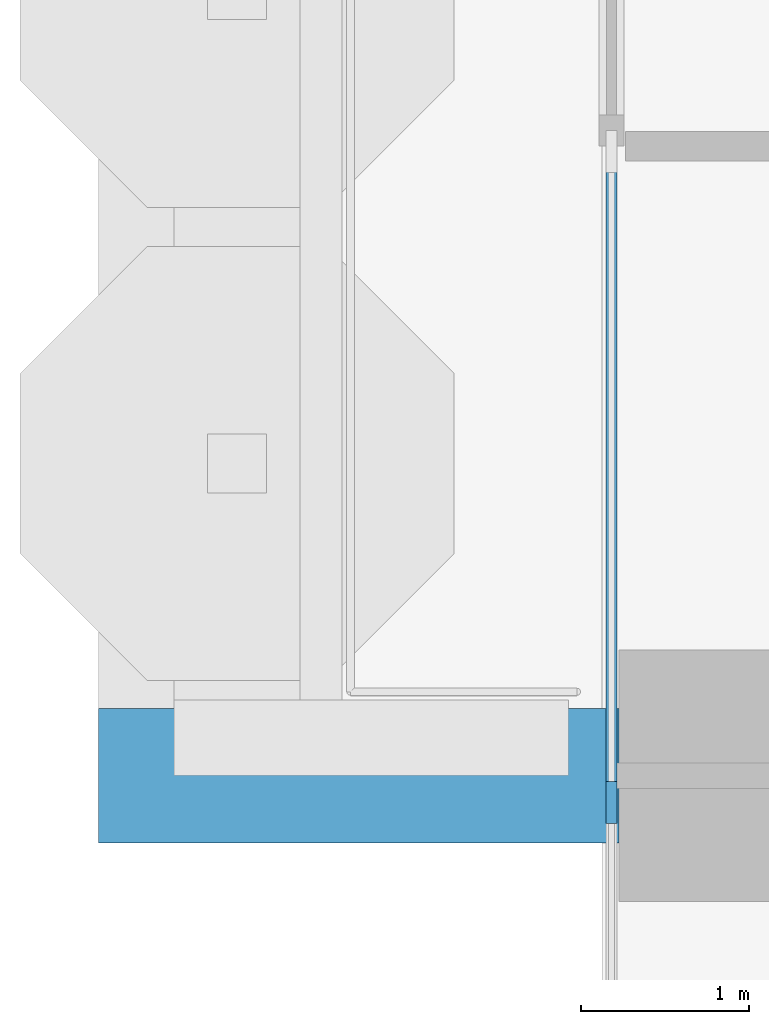
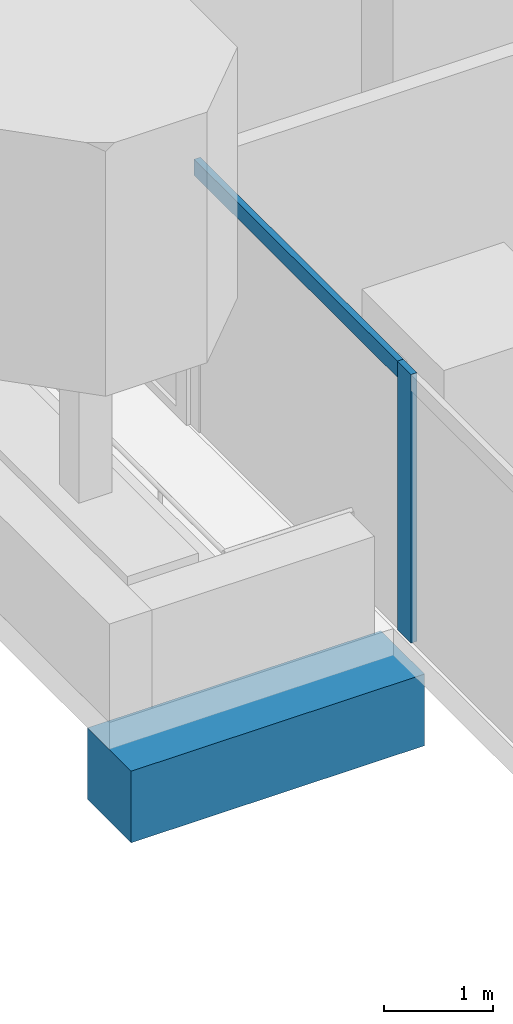
# One storey, part 3 of 19: 2 members, 1 beam, 1 element without a shape of its own.
"""IFC4 building model written with IfcOpenShell, lengths in metres."""

import ifcopenshell
import ifcopenshell.guid

model = None  # the IFC model being written
_history = None  # IfcOwnerHistory: only IFC2X3 demands one
_inside = {}  # id of a spatial element -> (the spatial element, [elements in it])
_under = {}  # id of a project, library or spatial element -> (it, [spatial elements below it])
_declared = {}  # id of a project -> (the project, [libraries it declares])
_typed = {}  # id of a type object -> (the type object, [elements of that type])
_made_of = {}  # id of a material, layer set ... -> (it, [elements and type objects made of it])


def new_model(schema):
    """Start an empty IFC model of exactly this schema.

    Asked for "IFC4X3", IfcOpenShell would pick the latest addendum, in which some entities
    have other attributes; the version numbers below select the first issue.
    IFC2X3 requires an IfcOwnerHistory on every rooted entity: one is made here for all.
    """
    global model, _history
    if schema == "IFC4X3":
        model = ifcopenshell.file(schema_version=(4, 3, 0, 0))
    else:
        model = ifcopenshell.file(schema=schema)
    _inside.clear()
    _under.clear()
    _declared.clear()
    _typed.clear()
    _made_of.clear()
    _history = None
    if model.schema == "IFC2X3":
        org = make("IfcOrganization", Name="unknown")
        user = make(
            "IfcPersonAndOrganization",
            ThePerson=make("IfcPerson", FamilyName="unknown"),
            TheOrganization=org,
        )
        app = make(
            "IfcApplication",
            ApplicationDeveloper=org,
            Version="unknown",
            ApplicationFullName="unknown",
            ApplicationIdentifier="unknown",
        )
        _history = make(
            "IfcOwnerHistory",
            OwningUser=user,
            OwningApplication=app,
            ChangeAction="ADDED",
            CreationDate=0,
        )
    return model


def make(cls, **values):
    """One entity of the class cls with the attributes given. An attribute that is None is left unset."""
    return model.create_entity(
        cls, **{name: value for name, value in values.items() if value is not None}
    )


def rooted(cls, **values):
    """An entity with a GlobalId (a new one), such as an element, a storey or a relation."""
    return make(cls, GlobalId=ifcopenshell.guid.new(), OwnerHistory=_history, **values)


def si_unit(unit_type, name, prefix=None):
    """IfcSIUnit, for example si_unit("LENGTHUNIT", "METRE", prefix="MILLI")."""
    return make("IfcSIUnit", UnitType=unit_type, Prefix=prefix, Name=name)


def assignment(units):
    """IfcUnitAssignment: the units of a project."""
    return None if units is None else make("IfcUnitAssignment", Units=units)


def point(xyz):
    """IfcCartesianPoint."""
    return None if xyz is None else make("IfcCartesianPoint", Coordinates=xyz)


def direction(xyz):
    """IfcDirection."""
    return None if xyz is None else make("IfcDirection", DirectionRatios=xyz)


def frame(location, z_axis=None, x_axis=None):
    """IfcAxis2Placement3D, a coordinate frame: its origin and axes. An axis left out is left unset."""
    return make(
        "IfcAxis2Placement3D",
        Location=point(location),
        Axis=direction(z_axis),
        RefDirection=direction(x_axis),
    )


def frame_2d(location, x_axis=None):
    """IfcAxis2Placement2D, a coordinate frame in the plane: its origin and x axis."""
    return make(
        "IfcAxis2Placement2D", Location=point(location), RefDirection=direction(x_axis)
    )


def origin():
    """The frame at (0, 0, 0) with its axes left unset."""
    return frame((0.0, 0.0, 0.0))


def origin_2d():
    """The frame at (0, 0) in the plane with its x axis left unset."""
    return frame_2d((0.0, 0.0))


def place(relative_to, where):
    """IfcLocalPlacement: puts the frame where relative to a parent placement (None: the world)."""
    return make(
        "IfcLocalPlacement", PlacementRelTo=relative_to, RelativePlacement=where
    )


def context(
    kind, dimensions, precision=None, world=None, true_north=None, identifier=None
):
    """IfcGeometricRepresentationContext, for example the 3D "Model" context."""
    return make(
        "IfcGeometricRepresentationContext",
        ContextIdentifier=identifier,
        ContextType=kind,
        CoordinateSpaceDimension=dimensions,
        Precision=precision,
        WorldCoordinateSystem=world,
        TrueNorth=true_north,
    )


def subcontext(parent, identifier, kind, view, scale=None):
    """IfcGeometricRepresentationSubContext, for example "Body" below "Model"."""
    return make(
        "IfcGeometricRepresentationSubContext",
        ContextIdentifier=identifier,
        ContextType=kind,
        ParentContext=parent,
        TargetScale=scale,
        TargetView=view,
    )


def project(units=None, contexts=None):
    """IfcProject with its units and contexts."""
    return rooted(
        "IfcProject",
        Name="project",
        RepresentationContexts=contexts,
        UnitsInContext=assignment(units),
    )


def spatial(cls, under=None, at=None, **own):
    """A site, building, storey or space (cls), placed at a placement, below another one or the project."""
    s = rooted(cls, ObjectPlacement=at, **own)
    if under is not None:
        _under.setdefault(under.id(), (under, []))[1].append(s)
    return s


def profile(cls, at=None, kind="AREA", **sizes):
    """A parametric profile (cls). Its sizes go by their IFC names, for example OverallWidth=200.0."""
    return make(cls, ProfileType=kind, Position=at, **sizes)


def rectangle(**sizes):
    """IfcRectangleProfileDef."""
    return profile("IfcRectangleProfileDef", **sizes)


def extrude(swept, where, along, depth):
    """IfcExtrudedAreaSolid: the profile swept, set in the frame where, extruded along a direction by depth."""
    return make(
        "IfcExtrudedAreaSolid",
        SweptArea=swept,
        Position=where,
        ExtrudedDirection=direction(along),
        Depth=depth,
    )


def shape(context_of_items, identifier, shape_type, items):
    """IfcShapeRepresentation: the items that make up one representation, for example the "Body"."""
    return make(
        "IfcShapeRepresentation",
        ContextOfItems=context_of_items,
        RepresentationIdentifier=identifier,
        RepresentationType=shape_type,
        Items=items,
    )


def material(Name=None, Category=None):
    """IfcMaterial."""
    return make("IfcMaterial", Name=Name, Category=Category)


def material_profile(
    of_material, cross_section, Name=None, Category=None, Priority=None
):
    """IfcMaterialProfile: a cross section and its material."""
    return make(
        "IfcMaterialProfile",
        Name=Name,
        Material=of_material,
        Profile=cross_section,
        Priority=Priority,
        Category=Category,
    )


def profile_set(profiles, Name=None, composite=None):
    """IfcMaterialProfileSet."""
    return make(
        "IfcMaterialProfileSet",
        Name=Name,
        MaterialProfiles=profiles,
        CompositeProfile=composite,
    )


def made_of(thing, what):
    """Note that an element or type object is made of a material, layer set ...; save() writes the relation."""
    if what is not None:
        _made_of.setdefault(what.id(), (what, []))[1].append(thing)
    return thing


def type_object(cls, material=None, **own):
    """A type object (cls), such as IfcWallType, which elements share."""
    return made_of(rooted(cls, **own), material)


def element(
    cls,
    number,
    at=None,
    inside=None,
    cuts=None,
    type_object=None,
    material=None,
    context=None,
    identifier="Body",
    shape_type=None,
    held_by="IfcProductDefinitionShape",
    body=None,
    shapes=None,
    **own,
):
    """One element of the class cls, such as IfcWall. Its Tag is "e" and its number.

    at: its placement. inside: the storey or other place that contains it. cuts: it is an
    opening in that element (IfcRelVoidsElement). A single representation is given by context,
    identifier, shape_type and body (its items); several are given by shapes. held_by: the class
    of the entity that holds the representations. save() writes the other relations.
    """
    e = rooted(cls, Tag="e%d" % number, ObjectPlacement=at, **own)
    if body is not None:
        shapes = [shape(context, identifier, shape_type, body)]
    if shapes is not None:
        e.Representation = make(held_by, Representations=shapes)
    if inside is not None:
        _inside.setdefault(inside.id(), (inside, []))[1].append(e)
    if cuts is not None:
        rooted(
            "IfcRelVoidsElement", RelatingBuildingElement=cuts, RelatedOpeningElement=e
        )
    if type_object is not None:
        _typed.setdefault(type_object.id(), (type_object, []))[1].append(e)
    return made_of(e, material)


def aggregate(whole, parts):
    """IfcRelAggregates: a whole, such as a stair, and the parts it consists of."""
    return rooted("IfcRelAggregates", RelatingObject=whole, RelatedObjects=parts)


def save(model, path):
    """Write the relations noted so far, then the file.

    IfcRelAggregates (storeys below a building ...), IfcRelContainedInSpatialStructure (elements
    in a storey), IfcRelDefinesByType, IfcRelAssociatesMaterial and IfcRelDeclares: one each for
    every whole, place, type object, material and project.
    """
    for whole, parts in _under.values():
        aggregate(whole, parts)
    for where, things in _inside.values():
        rooted(
            "IfcRelContainedInSpatialStructure",
            RelatedElements=things,
            RelatingStructure=where,
        )
    for kind, things in _typed.values():
        rooted("IfcRelDefinesByType", RelatedObjects=things, RelatingType=kind)
    for what, things in _made_of.values():
        rooted("IfcRelAssociatesMaterial", RelatedObjects=things, RelatingMaterial=what)
    for by, libraries in _declared.values():
        rooted("IfcRelDeclares", RelatingContext=by, RelatedDefinitions=libraries)
    model.write(path)


model = new_model("IFC4")

# Units and contexts
model_context = context("Model", 3, precision=1e-05, world=origin(), true_north=direction((0.0, 1.0)))
body_context = subcontext(model_context, "Body", "Model", "MODEL_VIEW")
ifc_project = project(units=[si_unit("LENGTHUNIT", "METRE"), si_unit("AREAUNIT", "SQUARE_METRE"), si_unit("VOLUMEUNIT", "CUBIC_METRE"), si_unit("PLANEANGLEUNIT", "RADIAN"), si_unit("MASSUNIT", "GRAM", prefix="KILO")], contexts=[model_context])

# Site, building, storey
site_placement = place(None, origin())
site = spatial("IfcSite", under=ifc_project, at=site_placement, CompositionType="ELEMENT")
building_placement = place(site_placement, origin())
building = spatial("IfcBuilding", under=site, at=building_placement, Name="Pilkhan Gate Tower", CompositionType="ELEMENT")
storey_placement = place(building_placement, frame((0.0, 0.0, 95.60009765625)))
storey = spatial("IfcBuildingStorey", under=building, at=storey_placement, Name="L23", CompositionType="ELEMENT", Elevation=95.60009765625)

# Beam
ifc_material_1 = material(Name="Concrete C50/60", Category="concrete")
ifc_material_profile_1 = material_profile(ifc_material_1, rectangle(XDim=0.800048828125, YDim=0.800048828125, at=origin_2d()), Name="RC 800x800")
ifc_profile_set_1 = profile_set([ifc_material_profile_1], Name="Concrete C50/60")
beam_type = type_object("IfcBeamType", Name="Cantilever beam CB2 RC 800x800 C50/60", PredefinedType="BEAM", material=ifc_profile_set_1)
beam_placement = place(storey_placement, frame((48.0, 67.5, -0.7001953125), z_axis=(-1.0, 0.0, 0.0), x_axis=(0.0, -1.0, 0.0)))
element("IfcBeam", 1, at=beam_placement, inside=storey, type_object=beam_type, Name="Balcony beam W.1 L23", PredefinedType="BEAM", context=body_context, shape_type="SweptSolid", body=[
    extrude(rectangle(XDim=0.800048828125, YDim=0.800048828125, at=origin_2d()), origin(), (0.0, 0.0, 1.0), 3.10009765625),
])

# Curtain wall, members
ifc_material_2 = material(Name="Pale anodised aluminium, clear low-iron double glazing", Category="aluminium")
curtain_wall_type = type_object("IfcCurtainWallType", Name="Hotel unitised curtain wall CW-H", PredefinedType="USERDEFINED", material=ifc_material_2)
curtain_wall_placement = place(storey_placement, origin())
curtain_wall = element("IfcCurtainWall", 2, at=curtain_wall_placement, inside=storey, type_object=curtain_wall_type, Name="Hotel unitised curtain wall CW-H L23 W", ObjectType="UNITISED CURTAIN WALL", PredefinedType="USERDEFINED")
ifc_material_3 = material(Name="Pale anodised aluminium", Category="aluminium")
ifc_material_profile_2 = material_profile(ifc_material_3, rectangle(XDim=0.06494140625, YDim=0.25, at=origin_2d()), Name="Mullion 250x65")
ifc_profile_set_2 = profile_set([ifc_material_profile_2], Name="Pale anodised aluminium")
member_type_1 = type_object("IfcMemberType", Name="Mullion CW-H 250x65", PredefinedType="MULLION", material=ifc_profile_set_2)
member_1_placement = place(storey_placement, frame((47.955078125, 67.341064453125, 0.0), z_axis=(0.0, 0.0, 1.0), x_axis=(-1.0, 0.0, 0.0)))
member_1 = element("IfcMember", 3, at=member_1_placement, type_object=member_type_1, Name="CW-H mullion 2", PredefinedType="MULLION", context=body_context, shape_type="SweptSolid", body=[
    extrude(rectangle(XDim=0.06494140625, YDim=0.25, at=origin_2d()), origin(), (0.0, 0.0, 1.0), 3.0),
])
ifc_material_profile_3 = material_profile(ifc_material_3, rectangle(XDim=0.06494140625, YDim=0.179931640625, at=origin_2d()), Name="Transom 180x65")
ifc_profile_set_3 = profile_set([ifc_material_profile_3], Name="Pale anodised aluminium")
member_type_2 = type_object("IfcMemberType", Name="Transom CW-H 180x65", PredefinedType="USERDEFINED", material=ifc_profile_set_3)
member_2_placement = place(storey_placement, frame((47.955078125, 67.37353515625, 2.909912109375), z_axis=(0.0, 1.0, 0.0), x_axis=(-1.0, 0.0, 0.0)))
member_2 = element("IfcMember", 4, at=member_2_placement, type_object=member_type_2, Name="CW-H transom 2", ObjectType="TRANSOM", PredefinedType="USERDEFINED", context=body_context, shape_type="SweptSolid", body=[
    extrude(rectangle(XDim=0.06494140625, YDim=0.179931640625, at=origin_2d()), origin(), (0.0, 0.0, 1.0), 3.8115234375),
])
aggregate(curtain_wall, [member_1, member_2])

save(model, "model.ifc")
